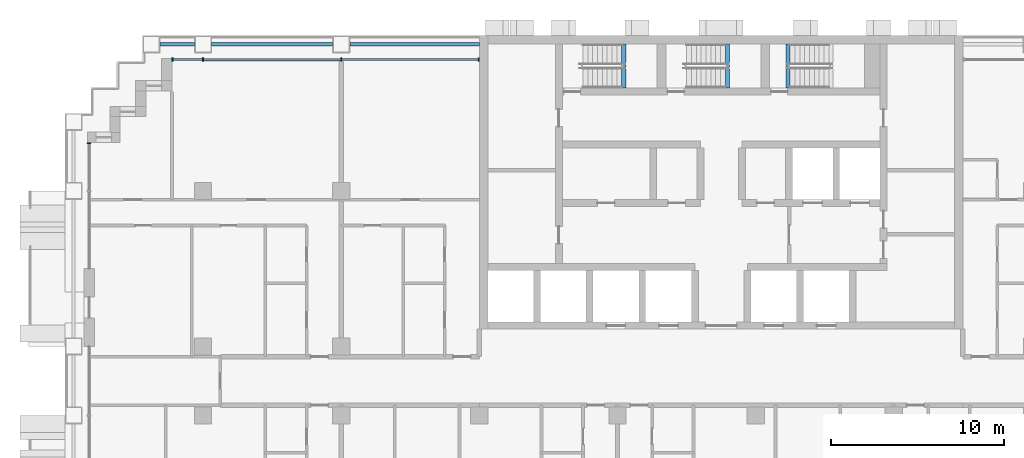
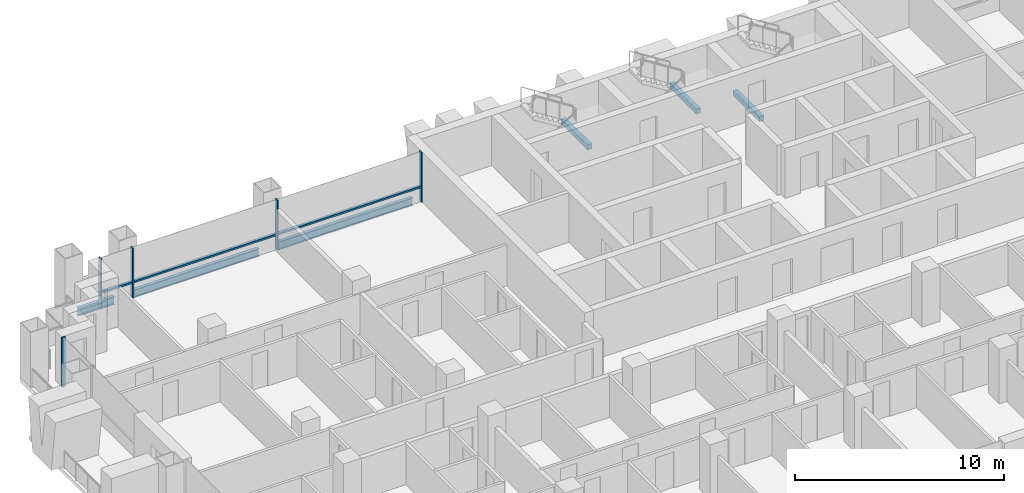
# One storey, part 4 of 19: 8 members, 6 beams, 2 elements without a shape of their own.
"""IFC4 building model written with IfcOpenShell, lengths in metres."""

from ifc_helpers import new_model, si_unit, direction, frame, origin, origin_2d, place, context, subcontext, project, spatial, rectangle, i_section, extrude, material, material_profile, profile_set, type_object, element, aggregate, save


model = new_model("IFC4")

# Units and contexts
model_context = context("Model", 3, precision=1e-05, world=origin(), true_north=direction((0.0, 1.0)))
body_context = subcontext(model_context, "Body", "Model", "MODEL_VIEW")
ifc_project = project(units=[si_unit("LENGTHUNIT", "METRE"), si_unit("AREAUNIT", "SQUARE_METRE"), si_unit("VOLUMEUNIT", "CUBIC_METRE"), si_unit("PLANEANGLEUNIT", "RADIAN"), si_unit("MASSUNIT", "GRAM", prefix="KILO")], contexts=[model_context])

# Site, building, storey
site_placement = place(None, origin())
site = spatial("IfcSite", under=ifc_project, at=site_placement, CompositionType="ELEMENT")
building_placement = place(site_placement, origin())
building = spatial("IfcBuilding", under=site, at=building_placement, Name="Vidyagriha Tower", CompositionType="ELEMENT")
storey_placement = place(building_placement, frame((0.0, 0.0, 57.60009765625)))
storey = spatial("IfcBuildingStorey", under=building, at=storey_placement, Name="L15", CompositionType="ELEMENT", Elevation=57.60009765625)

# Beams
ifc_material_1 = material(Name="Steel ASTM A992 Grade 50", Category="steel")
ifc_material_profile_1 = material_profile(ifc_material_1, i_section(OverallWidth=0.19189453125, OverallDepth=0.46240234375, WebThickness=0.010498046875, FlangeThickness=0.017578125, at=origin_2d()), Name="W18X60")
ifc_profile_set_1 = profile_set([ifc_material_profile_1], Name="Steel ASTM A992 Grade 50")
beam_type_1 = type_object("IfcBeamType", Name="Edge beam W18X60", PredefinedType="SPANDREL", material=ifc_profile_set_1)
beam_1_placement = place(storey_placement, frame((-32.5, 19.5, -0.51123046875), z_axis=(1.0, 0.0, 0.0), x_axis=(0.0, 1.0, 0.0)))
element("IfcBeam", 1, at=beam_1_placement, inside=storey, type_object=beam_type_1, Name="st-beam-L15-NW20", PredefinedType="SPANDREL", context=body_context, shape_type="SweptSolid", body=[
    extrude(i_section(OverallWidth=0.19189453125, OverallDepth=0.46240234375, WebThickness=0.010498046875, FlangeThickness=0.017578125, at=origin_2d()), origin(), (0.0, 0.0, 1.0), 2.0),
])
beam_2_placement = place(storey_placement, frame((-29.5, 19.5, -0.51123046875), z_axis=(1.0, 0.0, 0.0), x_axis=(0.0, 1.0, 0.0)))
element("IfcBeam", 2, at=beam_2_placement, inside=storey, type_object=beam_type_1, Name="st-beam-L15-NW21", PredefinedType="SPANDREL", context=body_context, shape_type="SweptSolid", body=[
    extrude(i_section(OverallWidth=0.19189453125, OverallDepth=0.46240234375, WebThickness=0.010498046875, FlangeThickness=0.017578125, at=origin_2d()), origin(), (0.0, 0.0, 1.0), 7.0),
])
beam_3_placement = place(storey_placement, frame((-21.5, 19.5, -0.51123046875), z_axis=(1.0, 0.0, 0.0), x_axis=(0.0, 1.0, 0.0)))
element("IfcBeam", 3, at=beam_3_placement, inside=storey, type_object=beam_type_1, Name="st-beam-L15-NC24", PredefinedType="SPANDREL", context=body_context, shape_type="SweptSolid", body=[
    extrude(i_section(OverallWidth=0.19189453125, OverallDepth=0.46240234375, WebThickness=0.010498046875, FlangeThickness=0.017578125, at=origin_2d()), origin(), (0.0, 0.0, 1.0), 7.5),
])

# Curtain wall, members
ifc_material_2 = material(Name="Aluminium and glass curtain wall", Category="aluminium")
curtain_wall_type = type_object("IfcCurtainWallType", Name="Dwelling skin unitised curtain wall", PredefinedType="USERDEFINED", material=ifc_material_2)
curtain_wall_1_placement = place(storey_placement, origin())
curtain_wall_1 = element("IfcCurtainWall", 4, at=curtain_wall_1_placement, inside=storey, type_object=curtain_wall_type, Name="CW1 dwelling skin", ObjectType="UNITISED", PredefinedType="USERDEFINED")
ifc_material_3 = material(Name="Aluminium black anodised", Category="aluminium")
ifc_material_profile_2 = material_profile(ifc_material_3, rectangle(XDim=0.199951171875, YDim=0.070068359375, at=origin_2d()), Name="Mullion 70x200 black aluminium")
ifc_profile_set_2 = profile_set([ifc_material_profile_2], Name="Aluminium black anodised")
member_type_1 = type_object("IfcMemberType", Name="Mullion 70x200 black aluminium", PredefinedType="MULLION", material=ifc_profile_set_2)
member_1_placement = place(storey_placement, frame((-14.034912109375, 18.60009765625, 0.0), z_axis=(0.0, 0.0, 1.0), x_axis=(0.0, -1.0, 0.0)))
member_1 = element("IfcMember", 5, at=member_1_placement, type_object=member_type_1, Name="CW1 mullion 1", PredefinedType="MULLION", context=body_context, shape_type="SweptSolid", body=[
    extrude(rectangle(XDim=0.199951171875, YDim=0.070068359375, at=origin_2d()), origin(), (0.0, 0.0, 1.0), 2.919921875),
])
member_2_placement = place(storey_placement, frame((-22.0, 18.60009765625, 0.0), z_axis=(0.0, 0.0, 1.0), x_axis=(0.0, -1.0, 0.0)))
member_2 = element("IfcMember", 6, at=member_2_placement, type_object=member_type_1, Name="CW1 mullion 2", PredefinedType="MULLION", context=body_context, shape_type="SweptSolid", body=[
    extrude(rectangle(XDim=0.199951171875, YDim=0.070068359375, at=origin_2d()), origin(), (0.0, 0.0, 1.0), 2.919921875),
])
member_3_placement = place(storey_placement, frame((-30.0, 18.60009765625, 0.0), z_axis=(0.0, 0.0, 1.0), x_axis=(0.0, -1.0, 0.0)))
member_3 = element("IfcMember", 7, at=member_3_placement, type_object=member_type_1, Name="CW1 mullion 3", PredefinedType="MULLION", context=body_context, shape_type="SweptSolid", body=[
    extrude(rectangle(XDim=0.199951171875, YDim=0.070068359375, at=origin_2d()), origin(), (0.0, 0.0, 1.0), 2.919921875),
])
member_4_placement = place(storey_placement, frame((-31.764892578125, 18.60009765625, 0.0), z_axis=(0.0, 0.0, 1.0), x_axis=(0.0, -1.0, 0.0)))
member_4 = element("IfcMember", 8, at=member_4_placement, type_object=member_type_1, Name="CW1 mullion 4", PredefinedType="MULLION", context=body_context, shape_type="SweptSolid", body=[
    extrude(rectangle(XDim=0.199951171875, YDim=0.070068359375, at=origin_2d()), origin(), (0.0, 0.0, 1.0), 2.919921875),
])

# Curtain wall, member
curtain_wall_2_placement = place(storey_placement, origin())
curtain_wall_2 = element("IfcCurtainWall", 9, at=curtain_wall_2_placement, inside=storey, type_object=curtain_wall_type, Name="CW1 dwelling skin", ObjectType="UNITISED", PredefinedType="USERDEFINED")
member_5_placement = place(storey_placement, frame((-36.60009765625, 13.764892578125, 0.0)))
member_5 = element("IfcMember", 10, at=member_5_placement, type_object=member_type_1, Name="CW1 mullion 1", PredefinedType="MULLION", context=body_context, shape_type="SweptSolid", body=[
    extrude(rectangle(XDim=0.199951171875, YDim=0.070068359375, at=origin_2d()), origin(), (0.0, 0.0, 1.0), 2.919921875),
])
aggregate(curtain_wall_2, [member_5])

# Beams
ifc_material_4 = material(Name="Concrete C40/50", Category="concrete")
ifc_material_profile_3 = material_profile(ifc_material_4, rectangle(XDim=0.25, YDim=0.300048828125, at=origin_2d()), Name="Stair landing bearing beam 250x300")
ifc_profile_set_3 = profile_set([ifc_material_profile_3], Name="Concrete C40/50")
beam_type_2 = type_object("IfcBeamType", Name="Stair landing bearing beam 250x300", PredefinedType="BEAM", material=ifc_profile_set_3)
for number, where, z_axis, x_axis, name in (
    (11, (3.875, 16.949951171875, -0.43017578125), (0.0, 1.0, 0.0), (-1.0, 0.0, 0.0), "ST3 floor landing bearing beam L15"),
    (12, (-5.635009765625, 16.949951171875, 1.25), (0.0, 1.0, 0.0), (-1.0, 0.0, 0.0), "ST1 landing bearing beam L15"),
    (13, (0.364990234375, 16.949951171875, 1.25), (0.0, 1.0, 0.0), (-1.0, 0.0, 0.0), "ST2 landing bearing beam L15"),
):
    element("IfcBeam", number, at=place(storey_placement, frame(where, z_axis=z_axis, x_axis=x_axis)), inside=storey, type_object=beam_type_2, Name=name, PredefinedType="BEAM", context=body_context, shape_type="SweptSolid", body=[
        extrude(rectangle(XDim=0.25, YDim=0.300048828125, at=origin_2d()), origin(), (0.0, 0.0, 1.0), 2.550048828125),
    ])

# Member
ifc_material_5 = material(Name="Aluminium black anodised", Category="aluminium")
ifc_material_profile_4 = material_profile(ifc_material_5, rectangle(XDim=0.159912109375, YDim=0.10009765625, at=origin_2d()), Name="Transom 100x160 black aluminium")
ifc_profile_set_4 = profile_set([ifc_material_profile_4], Name="Aluminium black anodised")
member_type_2 = type_object("IfcMemberType", Name="Transom 100x160 black aluminium", PredefinedType="USERDEFINED", material=ifc_profile_set_4)
member_6_placement = place(storey_placement, frame((-14.070068359375, 18.60009765625, 0.89990234375), z_axis=(-1.0, 0.0, 0.0), x_axis=(0.0, -1.0, 0.0)))
member_6 = element("IfcMember", 14, at=member_6_placement, type_object=member_type_2, Name="CW1 transom 1.1", ObjectType="TRANSOM", PredefinedType="USERDEFINED", context=body_context, shape_type="SweptSolid", body=[
    extrude(rectangle(XDim=0.159912109375, YDim=0.10009765625, at=origin_2d()), origin(), (0.0, 0.0, 1.0), 7.89501953125),
])

member_7_placement = place(storey_placement, frame((-22.034912109375, 18.60009765625, 0.89990234375), z_axis=(-1.0, 0.0, 0.0), x_axis=(0.0, -1.0, 0.0)))
member_7 = element("IfcMember", 15, at=member_7_placement, type_object=member_type_2, Name="CW1 transom 2.1", ObjectType="TRANSOM", PredefinedType="USERDEFINED", context=body_context, shape_type="SweptSolid", body=[
    extrude(rectangle(XDim=0.159912109375, YDim=0.10009765625, at=origin_2d()), origin(), (0.0, 0.0, 1.0), 7.93017578125),
])

member_8_placement = place(storey_placement, frame((-30.034912109375, 18.60009765625, 0.89990234375), z_axis=(-1.0, 0.0, 0.0), x_axis=(0.0, -1.0, 0.0)))
member_8 = element("IfcMember", 16, at=member_8_placement, type_object=member_type_2, Name="CW1 transom 3.1", ObjectType="TRANSOM", PredefinedType="USERDEFINED", context=body_context, shape_type="SweptSolid", body=[
    extrude(rectangle(XDim=0.159912109375, YDim=0.10009765625, at=origin_2d()), origin(), (0.0, 0.0, 1.0), 1.695068359375),
])

aggregate(curtain_wall_1, [member_1, member_2, member_3, member_4, member_6, member_7, member_8])

save(model, "model.ifc")
